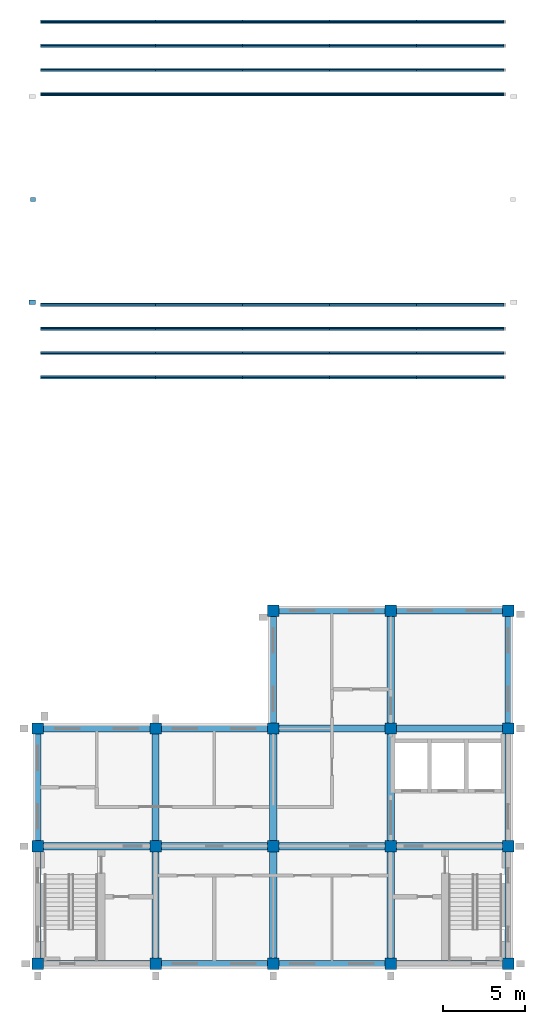
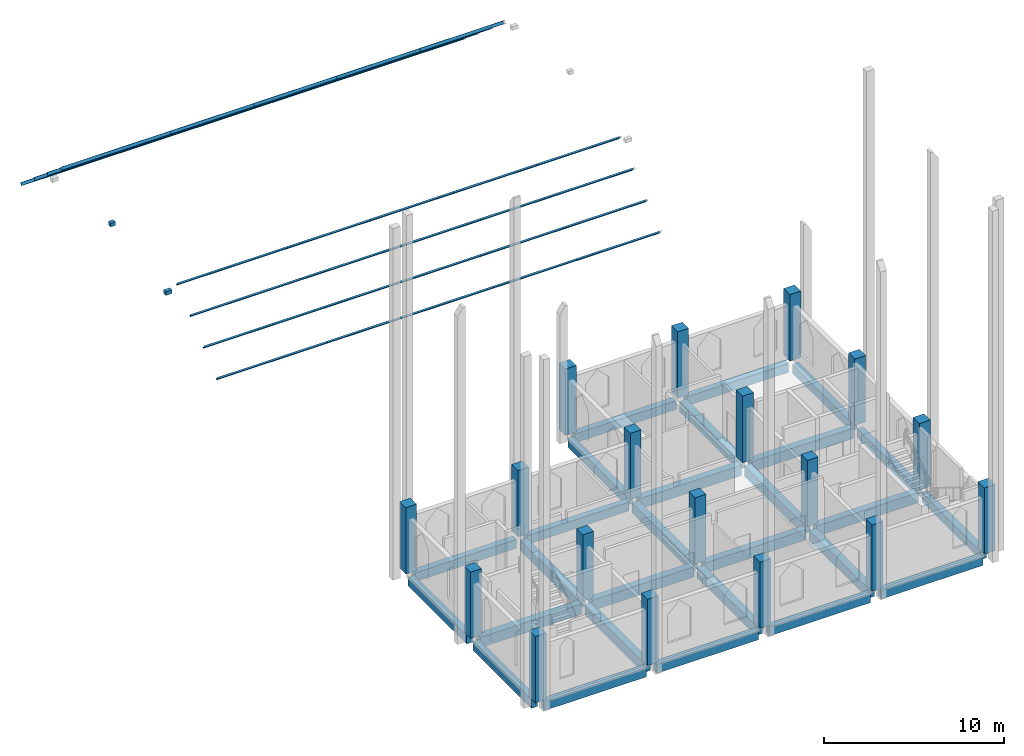
# One storey, part 1 of 7: 42 members, 27 beams, 18 columns.
"""IFC4 building model written with IfcOpenShell, lengths in metres."""

from ifc_helpers import new_model, si_unit, direction, frame, origin, origin_2d, place, context, subcontext, project, spatial, rectangle, i_section, extrude, material, material_profile, profile_set, type_object, element, save


model = new_model("IFC4")

# Units and contexts
model_context = context("Model", 3, precision=1e-05, world=origin(), true_north=direction((0.0, 1.0)))
body_context = subcontext(model_context, "Body", "Model", "MODEL_VIEW")
ifc_project = project(units=[si_unit("LENGTHUNIT", "METRE"), si_unit("AREAUNIT", "SQUARE_METRE"), si_unit("VOLUMEUNIT", "CUBIC_METRE"), si_unit("PLANEANGLEUNIT", "RADIAN"), si_unit("MASSUNIT", "GRAM", prefix="KILO")], contexts=[model_context])

# Site, building, storey
site_placement = place(None, origin())
site = spatial("IfcSite", under=ifc_project, at=site_placement, CompositionType="ELEMENT")
building_placement = place(site_placement, origin())
building = spatial("IfcBuilding", under=site, at=building_placement, Name="Silangan Lancet Faculty of Sciences", CompositionType="ELEMENT")
storey_placement = place(building_placement, frame((0.0, 0.0, 58.800048828125)))
storey = spatial("IfcBuildingStorey", under=building, at=storey_placement, Name="L12", CompositionType="ELEMENT", Elevation=58.800048828125)

# Columns
ifc_material_1 = material(Name="Concrete C40/50", Category="concrete")
ifc_material_profile_1 = material_profile(ifc_material_1, rectangle(XDim=0.699951171875, YDim=0.699951171875, at=origin_2d()), Name="RC 700x700")
ifc_profile_set_1 = profile_set([ifc_material_profile_1], Name="Concrete C40/50")
column_type = type_object("IfcColumnType", Name="COLUMN RC 700x700", PredefinedType="COLUMN", material=ifc_profile_set_1)
for number, where, z_axis, x_axis, name in (
    (1, (0.0, 0.0, 0.0), (0.0, 0.0, 1.0), (1.0, 0.0, 0.0), "COL-L12-1A"),
    (2, (0.0, 7.199951171875, 0.0), (0.0, 0.0, 1.0), (1.0, 0.0, 0.0), "COL-L12-1B"),
    (3, (0.0, 14.39990234375, 0.0), (0.0, 0.0, 1.0), (1.0, 0.0, 0.0), "COL-L12-1C"),
    (4, (7.199951171875, 0.0, 0.0), (0.0, 0.0, 1.0), (1.0, 0.0, 0.0), "COL-L12-2A"),
    (5, (7.199951171875, 7.199951171875, 0.0), (0.0, 0.0, 1.0), (1.0, 0.0, 0.0), "COL-L12-2B"),
    (6, (7.199951171875, 14.39990234375, 0.0), (0.0, 0.0, 1.0), (1.0, 0.0, 0.0), "COL-L12-2C"),
    (7, (14.39990234375, 0.0, 0.0), (0.0, 0.0, 1.0), (1.0, 0.0, 0.0), "COL-L12-3A"),
    (8, (14.39990234375, 7.199951171875, 0.0), (0.0, 0.0, 1.0), (1.0, 0.0, 0.0), "COL-L12-3B"),
    (9, (14.39990234375, 14.39990234375, 0.0), (0.0, 0.0, 1.0), (1.0, 0.0, 0.0), "COL-L12-3C"),
    (10, (14.39990234375, 21.60009765625, 0.0), (0.0, 0.0, 1.0), (1.0, 0.0, 0.0), "COL-L12-3D"),
    (11, (21.60009765625, 0.0, 0.0), (0.0, 0.0, 1.0), (1.0, 0.0, 0.0), "COL-L12-4A"),
    (12, (21.60009765625, 7.199951171875, 0.0), (0.0, 0.0, 1.0), (1.0, 0.0, 0.0), "COL-L12-4B"),
    (13, (21.60009765625, 14.39990234375, 0.0), (0.0, 0.0, 1.0), (1.0, 0.0, 0.0), "COL-L12-4C"),
    (14, (21.60009765625, 21.60009765625, 0.0), (0.0, 0.0, 1.0), (1.0, 0.0, 0.0), "COL-L12-4D"),
    (15, (28.800048828125, 0.0, 0.0), (0.0, 0.0, 1.0), (1.0, 0.0, 0.0), "COL-L12-5A"),
    (16, (28.800048828125, 7.199951171875, 0.0), (0.0, 0.0, 1.0), (1.0, 0.0, 0.0), "COL-L12-5B"),
    (17, (28.800048828125, 14.39990234375, 0.0), (0.0, 0.0, 1.0), (1.0, 0.0, 0.0), "COL-L12-5C"),
    (18, (28.800048828125, 21.60009765625, 0.0), (0.0, 0.0, 1.0), (1.0, 0.0, 0.0), "COL-L12-5D"),
):
    element("IfcColumn", number, at=place(storey_placement, frame(where, z_axis=z_axis, x_axis=x_axis)), inside=storey, type_object=column_type, Name=name, PredefinedType="COLUMN", context=body_context, shape_type="SweptSolid", body=[
        extrude(rectangle(XDim=0.699951171875, YDim=0.699951171875, at=origin_2d()), origin(), (0.0, 0.0, 1.0), 4.5),
    ])

# Beams
ifc_material_2 = material(Name="Concrete C40/50", Category="concrete")
ifc_material_profile_2 = material_profile(ifc_material_2, rectangle(XDim=0.39990234375, YDim=0.60009765625, at=origin_2d()), Name="RC 400x600")
ifc_profile_set_2 = profile_set([ifc_material_profile_2], Name="Concrete C40/50")
beam_type_1 = type_object("IfcBeamType", Name="BEAM RC 400x600", PredefinedType="BEAM", material=ifc_profile_set_2)
for number, where, z_axis, x_axis, name in (
    (19, (0.35009765625, 0.0, -0.550048828125), (1.0, 0.0, 0.0), (0.0, 1.0, 0.0), "BM-L12-1A-2A"),
    (20, (7.550048828125, 0.0, -0.550048828125), (1.0, 0.0, 0.0), (0.0, 1.0, 0.0), "BM-L12-2A-3A"),
    (21, (14.75, 0.0, -0.550048828125), (1.0, 0.0, 0.0), (0.0, 1.0, 0.0), "BM-L12-3A-4A"),
    (22, (21.949951171875, 0.0, -0.550048828125), (1.0, 0.0, 0.0), (0.0, 1.0, 0.0), "BM-L12-4A-5A"),
    (23, (0.35009765625, 14.39990234375, -0.550048828125), (1.0, 0.0, 0.0), (0.0, 1.0, 0.0), "BM-L12-1C-2C"),
    (24, (7.550048828125, 14.39990234375, -0.550048828125), (1.0, 0.0, 0.0), (0.0, 1.0, 0.0), "BM-L12-2C-3C"),
    (25, (14.75, 21.60009765625, -0.550048828125), (1.0, 0.0, 0.0), (0.0, 1.0, 0.0), "BM-L12-3D-4D"),
    (26, (21.949951171875, 21.60009765625, -0.550048828125), (1.0, 0.0, 0.0), (0.0, 1.0, 0.0), "BM-L12-4D-5D"),
    (27, (0.0, 0.35009765625, -0.550048828125), (0.0, 1.0, 0.0), (-1.0, 0.0, 0.0), "BM-L12-1A-1B"),
    (28, (0.0, 7.550048828125, -0.550048828125), (0.0, 1.0, 0.0), (-1.0, 0.0, 0.0), "BM-L12-1B-1C"),
    (29, (14.39990234375, 14.75, -0.550048828125), (0.0, 1.0, 0.0), (-1.0, 0.0, 0.0), "BM-L12-3C-3D"),
    (30, (28.800048828125, 0.35009765625, -0.550048828125), (0.0, 1.0, 0.0), (-1.0, 0.0, 0.0), "BM-L12-5A-5B"),
    (31, (28.800048828125, 7.550048828125, -0.550048828125), (0.0, 1.0, 0.0), (-1.0, 0.0, 0.0), "BM-L12-5B-5C"),
    (32, (28.800048828125, 14.75, -0.550048828125), (0.0, 1.0, 0.0), (-1.0, 0.0, 0.0), "BM-L12-5C-5D"),
):
    element("IfcBeam", number, at=place(storey_placement, frame(where, z_axis=z_axis, x_axis=x_axis)), inside=storey, type_object=beam_type_1, Name=name, PredefinedType="BEAM", context=body_context, shape_type="SweptSolid", body=[
        extrude(rectangle(XDim=0.39990234375, YDim=0.60009765625, at=origin_2d()), origin(), (0.0, 0.0, 1.0), 6.5),
    ])
ifc_material_3 = material(Name="Concrete C40/50", Category="concrete")
ifc_material_profile_3 = material_profile(ifc_material_3, rectangle(XDim=0.449951171875, YDim=0.699951171875, at=origin_2d()), Name="RC 450x700")
ifc_profile_set_3 = profile_set([ifc_material_profile_3], Name="Concrete C40/50")
beam_type_2 = type_object("IfcBeamType", Name="BEAM RC 450x700", PredefinedType="BEAM", material=ifc_profile_set_3)
for number, where, z_axis, x_axis, name in (
    (33, (0.35009765625, 7.199951171875, -0.60009765625), (1.0, 0.0, 0.0), (0.0, 1.0, 0.0), "BM-L12-1B-2B"),
    (34, (7.550048828125, 7.199951171875, -0.60009765625), (1.0, 0.0, 0.0), (0.0, 1.0, 0.0), "BM-L12-2B-3B"),
    (35, (14.75, 7.199951171875, -0.60009765625), (1.0, 0.0, 0.0), (0.0, 1.0, 0.0), "BM-L12-3B-4B"),
    (36, (21.949951171875, 7.199951171875, -0.60009765625), (1.0, 0.0, 0.0), (0.0, 1.0, 0.0), "BM-L12-4B-5B"),
    (37, (14.75, 14.39990234375, -0.60009765625), (1.0, 0.0, 0.0), (0.0, 1.0, 0.0), "BM-L12-3C-4C"),
    (38, (21.949951171875, 14.39990234375, -0.60009765625), (1.0, 0.0, 0.0), (0.0, 1.0, 0.0), "BM-L12-4C-5C"),
    (39, (7.199951171875, 0.35009765625, -0.60009765625), (0.0, 1.0, 0.0), (-1.0, 0.0, 0.0), "BM-L12-2A-2B"),
    (40, (7.199951171875, 7.550048828125, -0.60009765625), (0.0, 1.0, 0.0), (-1.0, 0.0, 0.0), "BM-L12-2B-2C"),
    (41, (14.39990234375, 0.35009765625, -0.60009765625), (0.0, 1.0, 0.0), (-1.0, 0.0, 0.0), "BM-L12-3A-3B"),
    (42, (14.39990234375, 7.550048828125, -0.60009765625), (0.0, 1.0, 0.0), (-1.0, 0.0, 0.0), "BM-L12-3B-3C"),
    (43, (21.60009765625, 0.35009765625, -0.60009765625), (0.0, 1.0, 0.0), (-1.0, 0.0, 0.0), "BM-L12-4A-4B"),
    (44, (21.60009765625, 7.550048828125, -0.60009765625), (0.0, 1.0, 0.0), (-1.0, 0.0, 0.0), "BM-L12-4B-4C"),
    (45, (21.60009765625, 14.75, -0.60009765625), (0.0, 1.0, 0.0), (-1.0, 0.0, 0.0), "BM-L12-4C-4D"),
):
    element("IfcBeam", number, at=place(storey_placement, frame(where, z_axis=z_axis, x_axis=x_axis)), inside=storey, type_object=beam_type_2, Name=name, PredefinedType="BEAM", context=body_context, shape_type="SweptSolid", body=[
        extrude(rectangle(XDim=0.449951171875, YDim=0.699951171875, at=origin_2d()), origin(), (0.0, 0.0, 1.0), 6.5),
    ])

# Members
ifc_material_4 = material(Name="Steel S355", Category="steel")
ifc_material_profile_4 = material_profile(ifc_material_4, rectangle(XDim=0.25, YDim=0.25, at=origin_2d()), Name="steel 250x250")
ifc_profile_set_4 = profile_set([ifc_material_profile_4], Name="Steel S355")
member_type_1 = type_object("IfcMemberType", Name="Gable truss bracket 250", PredefinedType="MEMBER", material=ifc_profile_set_4)
member_1_placement = place(storey_placement, frame((-0.14990234375, 40.5, 3.121337890625), z_axis=(-1.0, 0.0, 0.0), x_axis=(0.0, -1.0, 0.0)))
element("IfcMember", 46, at=member_1_placement, inside=storey, type_object=member_type_1, Name="Gable truss bracket RA2", PredefinedType="MEMBER", context=body_context, shape_type="SweptSolid", body=[
    extrude(rectangle(XDim=0.25, YDim=0.25, at=origin_2d()), origin(), (0.0, 0.0, 1.0), 0.39599609375),
])
member_2_placement = place(storey_placement, frame((-0.14990234375, 46.800048828125, 3.923583984375), z_axis=(-1.0, 0.0, 0.0), x_axis=(0.0, -1.0, 0.0)))
element("IfcMember", 47, at=member_2_placement, inside=storey, type_object=member_type_1, Name="Gable truss bracket K", PredefinedType="MEMBER", context=body_context, shape_type="SweptSolid", body=[
    extrude(rectangle(XDim=0.25, YDim=0.25, at=origin_2d()), origin(), (0.0, 0.0, 1.0), 0.300048828125),
])
ifc_material_5 = material(Name="Steel SS400", Category="steel")
ifc_material_profile_5 = material_profile(ifc_material_5, i_section(OverallWidth=0.10009765625, OverallDepth=0.199951171875, WebThickness=0.005615234375, FlangeThickness=0.008056640625, FilletRadius=0.008056640625, at=origin_2d()), Name="H 200x100x5.5x8")
ifc_profile_set_5 = profile_set([ifc_material_profile_5], Name="Steel SS400")
member_type_2 = type_object("IfcMemberType", Name="Sheeting purlin H 200x100x5.5x8", PredefinedType="PURLIN", material=ifc_profile_set_5)
for number, where, z_axis, x_axis, name in (
    (48, (0.14990234375, 35.91748046875, -0.186279296875), (1.0, 0.0, 0.0), (0.0, 0.765704867842, 0.64319208279), "Gable purlin 1S2"),
    (49, (0.14990234375, 37.396728515625, 1.05615234375), (1.0, 0.0, 0.0), (0.0, 0.765704867842, 0.64319208279), "Gable purlin 1S3"),
    (50, (0.14990234375, 38.8759765625, 2.298828125), (1.0, 0.0, 0.0), (0.0, 0.765704867842, 0.64319208279), "Gable purlin 1S4"),
    (51, (0.14990234375, 40.355224609375, 3.54150390625), (1.0, 0.0, 0.0), (0.0, 0.765704867842, 0.64319208279), "Gable purlin 1S5"),
    (52, (0.14990234375, 57.6826171875, -0.186279296875), (1.0, 0.0, 0.0), (0.0, 0.765704867842, -0.64319208279), "Gable purlin 1N2"),
    (53, (0.14990234375, 56.203369140625, 1.05615234375), (1.0, 0.0, 0.0), (0.0, 0.765704867842, -0.64319208279), "Gable purlin 1N3"),
    (54, (0.14990234375, 54.72412109375, 2.298828125), (1.0, 0.0, 0.0), (0.0, 0.765704867842, -0.64319208279), "Gable purlin 1N4"),
    (55, (0.14990234375, 53.24462890625, 3.54150390625), (1.0, 0.0, 0.0), (0.0, 0.765704867842, -0.64319208279), "Gable purlin 1N5"),
):
    element("IfcMember", number, at=place(storey_placement, frame(where, z_axis=z_axis, x_axis=x_axis)), inside=storey, type_object=member_type_2, Name=name, PredefinedType="PURLIN", context=body_context, shape_type="SweptSolid", body=[
        extrude(i_section(OverallWidth=0.10009765625, OverallDepth=0.199951171875, WebThickness=0.005615234375, FlangeThickness=0.008056640625, FilletRadius=0.008056640625, at=origin_2d()), origin(), (0.0, 0.0, 1.0), 7.050048828125),
    ])
for number, where, z_axis, x_axis, name in (
    (56, (7.199951171875, 35.91748046875, -0.186279296875), (1.0, 0.0, 0.0), (0.0, 0.765704867842, 0.64319208279), "Gable purlin 2S2"),
    (57, (7.199951171875, 37.396728515625, 1.05615234375), (1.0, 0.0, 0.0), (0.0, 0.765704867842, 0.64319208279), "Gable purlin 2S3"),
    (58, (7.199951171875, 38.8759765625, 2.298828125), (1.0, 0.0, 0.0), (0.0, 0.765704867842, 0.64319208279), "Gable purlin 2S4"),
    (59, (7.199951171875, 40.355224609375, 3.54150390625), (1.0, 0.0, 0.0), (0.0, 0.765704867842, 0.64319208279), "Gable purlin 2S5"),
    (60, (7.199951171875, 57.6826171875, -0.186279296875), (1.0, 0.0, 0.0), (0.0, 0.765704867842, -0.64319208279), "Gable purlin 2N2"),
    (61, (7.199951171875, 56.203369140625, 1.05615234375), (1.0, 0.0, 0.0), (0.0, 0.765704867842, -0.64319208279), "Gable purlin 2N3"),
    (62, (7.199951171875, 54.72412109375, 2.298828125), (1.0, 0.0, 0.0), (0.0, 0.765704867842, -0.64319208279), "Gable purlin 2N4"),
    (63, (7.199951171875, 53.24462890625, 3.54150390625), (1.0, 0.0, 0.0), (0.0, 0.765704867842, -0.64319208279), "Gable purlin 2N5"),
    (64, (12.53125, 35.91748046875, -0.186279296875), (1.0, 0.0, 0.0), (0.0, 0.765704867842, 0.64319208279), "Gable purlin 3S2"),
    (65, (12.53125, 37.396728515625, 1.05615234375), (1.0, 0.0, 0.0), (0.0, 0.765704867842, 0.64319208279), "Gable purlin 3S3"),
    (66, (12.53125, 38.8759765625, 2.298828125), (1.0, 0.0, 0.0), (0.0, 0.765704867842, 0.64319208279), "Gable purlin 3S4"),
    (67, (12.53125, 40.355224609375, 3.54150390625), (1.0, 0.0, 0.0), (0.0, 0.765704867842, 0.64319208279), "Gable purlin 3S5"),
    (68, (12.53125, 57.6826171875, -0.186279296875), (1.0, 0.0, 0.0), (0.0, 0.765704867842, -0.64319208279), "Gable purlin 3N2"),
    (69, (12.53125, 56.203369140625, 1.05615234375), (1.0, 0.0, 0.0), (0.0, 0.765704867842, -0.64319208279), "Gable purlin 3N3"),
    (70, (12.53125, 54.72412109375, 2.298828125), (1.0, 0.0, 0.0), (0.0, 0.765704867842, -0.64319208279), "Gable purlin 3N4"),
    (71, (12.53125, 53.24462890625, 3.54150390625), (1.0, 0.0, 0.0), (0.0, 0.765704867842, -0.64319208279), "Gable purlin 3N5"),
    (72, (17.862548828125, 35.91748046875, -0.186279296875), (1.0, 0.0, 0.0), (0.0, 0.765704867842, 0.64319208279), "Gable purlin 4S2"),
    (73, (17.862548828125, 37.396728515625, 1.05615234375), (1.0, 0.0, 0.0), (0.0, 0.765704867842, 0.64319208279), "Gable purlin 4S3"),
    (74, (17.862548828125, 38.8759765625, 2.298828125), (1.0, 0.0, 0.0), (0.0, 0.765704867842, 0.64319208279), "Gable purlin 4S4"),
    (75, (17.862548828125, 40.355224609375, 3.54150390625), (1.0, 0.0, 0.0), (0.0, 0.765704867842, 0.64319208279), "Gable purlin 4S5"),
    (76, (17.862548828125, 57.6826171875, -0.186279296875), (1.0, 0.0, 0.0), (0.0, 0.765704867842, -0.64319208279), "Gable purlin 4N2"),
    (77, (17.862548828125, 56.203369140625, 1.05615234375), (1.0, 0.0, 0.0), (0.0, 0.765704867842, -0.64319208279), "Gable purlin 4N3"),
    (78, (17.862548828125, 54.72412109375, 2.298828125), (1.0, 0.0, 0.0), (0.0, 0.765704867842, -0.64319208279), "Gable purlin 4N4"),
    (79, (17.862548828125, 53.24462890625, 3.54150390625), (1.0, 0.0, 0.0), (0.0, 0.765704867842, -0.64319208279), "Gable purlin 4N5"),
):
    element("IfcMember", number, at=place(storey_placement, frame(where, z_axis=z_axis, x_axis=x_axis)), inside=storey, type_object=member_type_2, Name=name, PredefinedType="PURLIN", context=body_context, shape_type="SweptSolid", body=[
        extrude(i_section(OverallWidth=0.10009765625, OverallDepth=0.199951171875, WebThickness=0.005615234375, FlangeThickness=0.008056640625, FilletRadius=0.008056640625, at=origin_2d()), origin(), (0.0, 0.0, 1.0), 5.331298828125),
    ])
for number, where, z_axis, x_axis, name in (
    (80, (23.19384765625, 35.91748046875, -0.186279296875), (1.0, 0.0, 0.0), (0.0, 0.765704867842, 0.64319208279), "Gable purlin 5S2"),
    (81, (23.19384765625, 37.396728515625, 1.05615234375), (1.0, 0.0, 0.0), (0.0, 0.765704867842, 0.64319208279), "Gable purlin 5S3"),
    (82, (23.19384765625, 38.8759765625, 2.298828125), (1.0, 0.0, 0.0), (0.0, 0.765704867842, 0.64319208279), "Gable purlin 5S4"),
    (83, (23.19384765625, 40.355224609375, 3.54150390625), (1.0, 0.0, 0.0), (0.0, 0.765704867842, 0.64319208279), "Gable purlin 5S5"),
    (84, (23.19384765625, 57.6826171875, -0.186279296875), (1.0, 0.0, 0.0), (0.0, 0.765704867842, -0.64319208279), "Gable purlin 5N2"),
    (85, (23.19384765625, 56.203369140625, 1.05615234375), (1.0, 0.0, 0.0), (0.0, 0.765704867842, -0.64319208279), "Gable purlin 5N3"),
    (86, (23.19384765625, 54.72412109375, 2.298828125), (1.0, 0.0, 0.0), (0.0, 0.765704867842, -0.64319208279), "Gable purlin 5N4"),
    (87, (23.19384765625, 53.24462890625, 3.54150390625), (1.0, 0.0, 0.0), (0.0, 0.765704867842, -0.64319208279), "Gable purlin 5N5"),
):
    element("IfcMember", number, at=place(storey_placement, frame(where, z_axis=z_axis, x_axis=x_axis)), inside=storey, type_object=member_type_2, Name=name, PredefinedType="PURLIN", context=body_context, shape_type="SweptSolid", body=[
        extrude(i_section(OverallWidth=0.10009765625, OverallDepth=0.199951171875, WebThickness=0.005615234375, FlangeThickness=0.008056640625, FilletRadius=0.008056640625, at=origin_2d()), origin(), (0.0, 0.0, 1.0), 5.3310546875),
    ])

save(model, "model.ifc")
